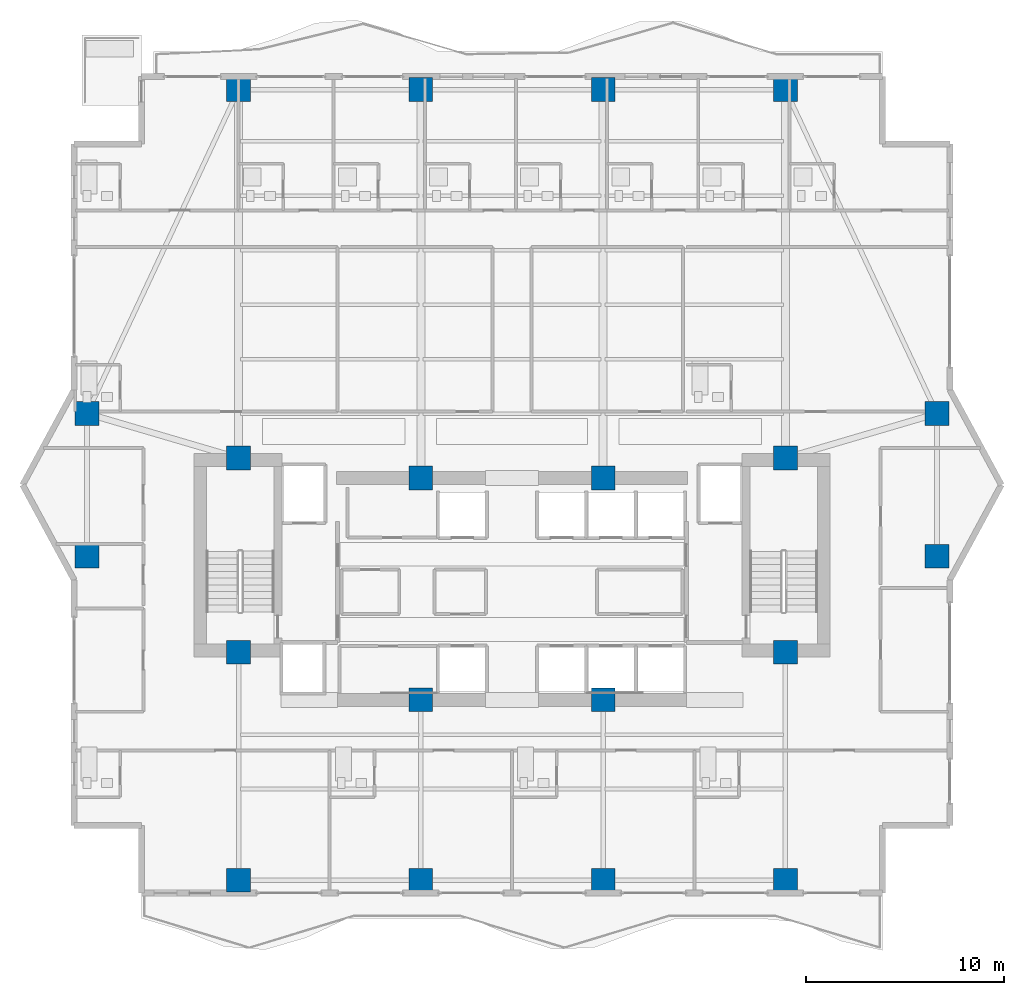
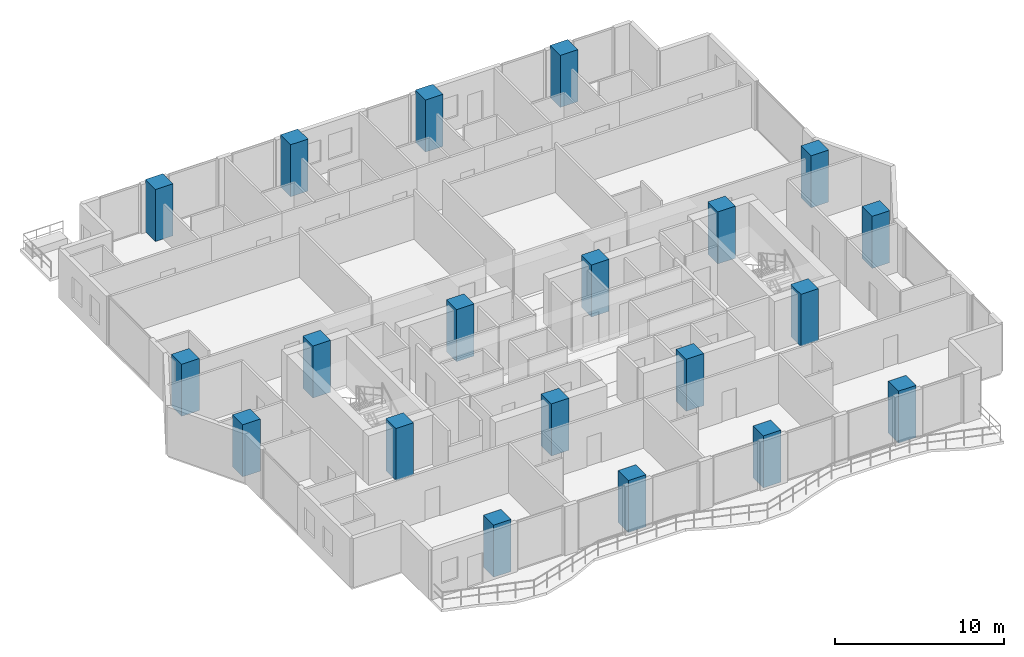
# One storey, part 1 of 32: 20 columns.
"""IFC4 building model written with IfcOpenShell, lengths in metres."""

from ifc_helpers import new_model, si_unit, direction, frame, origin, origin_2d, place, context, subcontext, project, spatial, rectangle, extrude, material, material_profile, profile_set, type_object, element, save


model = new_model("IFC4")

# Units and contexts
model_context = context("Model", 3, precision=1e-05, world=origin(), true_north=direction((0.0, 1.0)))
body_context = subcontext(model_context, "Body", "Model", "MODEL_VIEW")
ifc_project = project(units=[si_unit("LENGTHUNIT", "METRE"), si_unit("AREAUNIT", "SQUARE_METRE"), si_unit("VOLUMEUNIT", "CUBIC_METRE"), si_unit("PLANEANGLEUNIT", "RADIAN"), si_unit("MASSUNIT", "GRAM", prefix="KILO")], contexts=[model_context])

# Site, building, storey
site_placement = place(None, origin())
site = spatial("IfcSite", under=ifc_project, at=site_placement, CompositionType="ELEMENT")
building_placement = place(site_placement, origin())
building = spatial("IfcBuilding", under=site, at=building_placement, Name="Zuhayl Quay Hotel", CompositionType="ELEMENT")
storey_placement = place(building_placement, frame((0.0, 0.0, 226.14990234375)))
storey = spatial("IfcBuildingStorey", under=building, at=storey_placement, Name="L57", CompositionType="ELEMENT", Elevation=226.14990234375)

# Columns
ifc_material = material(Name="Concrete C60/75", Category="concrete")
ifc_material_profile_1 = material_profile(ifc_material, rectangle(XDim=1.199951171875, YDim=1.199951171875, at=origin_2d()), Name="RC1200X1200")
ifc_profile_set_1 = profile_set([ifc_material_profile_1], Name="Concrete C60/75")
column_type_1 = type_object("IfcColumnType", Name="CL_CC2_1200", PredefinedType="COLUMN", material=ifc_profile_set_1)
for number, where, z_axis, x_axis, name in (
    (1, (-13.800048828125, 14.35009765625, 0.0), (0.0, 0.0, 1.0), (1.0, 0.0, 0.0), "L57 Core Column CC_NW"),
    (2, (-4.60009765625, 13.35009765625, 0.0), (0.0, 0.0, 1.0), (1.0, 0.0, 0.0), "L57 Core Column CC_CNW"),
    (3, (4.60009765625, 13.35009765625, 0.0), (0.0, 0.0, 1.0), (1.0, 0.0, 0.0), "L57 Core Column CC_CNE"),
    (4, (13.800048828125, 14.35009765625, 0.0), (0.0, 0.0, 1.0), (1.0, 0.0, 0.0), "L57 Core Column CC_NE"),
    (5, (-13.800048828125, 4.550048828125, 0.0), (0.0, 0.0, 1.0), (1.0, 0.0, 0.0), "L57 Core Column CC_SW"),
    (6, (-4.60009765625, 2.14990234375, 0.0), (0.0, 0.0, 1.0), (1.0, 0.0, 0.0), "L57 Core Column CC_CSW"),
    (7, (4.60009765625, 2.14990234375, 0.0), (0.0, 0.0, 1.0), (1.0, 0.0, 0.0), "L57 Core Column CC_CSE"),
    (8, (13.800048828125, 4.550048828125, 0.0), (0.0, 0.0, 1.0), (1.0, 0.0, 0.0), "L57 Core Column CC_SE"),
):
    element("IfcColumn", number, at=place(storey_placement, frame(where, z_axis=z_axis, x_axis=x_axis)), inside=storey, type_object=column_type_1, Name=name, PredefinedType="COLUMN", context=body_context, shape_type="SweptSolid", body=[
        extrude(rectangle(XDim=1.199951171875, YDim=1.199951171875, at=origin_2d()), origin(), (0.0, 0.0, 1.0), 3.75),
    ])
ifc_material_profile_2 = material_profile(ifc_material, rectangle(XDim=1.199951171875, YDim=1.199951171875, at=origin_2d()), Name="RC1200X1200")
ifc_profile_set_2 = profile_set([ifc_material_profile_2], Name="Concrete C60/75")
column_type_2 = type_object("IfcColumnType", Name="CL_MC3_1200", PredefinedType="COLUMN", material=ifc_profile_set_2)
for number, where, z_axis, x_axis, name in (
    (9, (-13.800048828125, -6.949951171875, 0.0), (0.0, 0.0, 1.0), (1.0, 0.0, 0.0), "L57 Mega-Column MC_S1"),
    (10, (-4.60009765625, -6.949951171875, 0.0), (0.0, 0.0, 1.0), (1.0, 0.0, 0.0), "L57 Mega-Column MC_S2"),
    (11, (4.60009765625, -6.949951171875, 0.0), (0.0, 0.0, 1.0), (1.0, 0.0, 0.0), "L57 Mega-Column MC_S3"),
    (12, (13.800048828125, -6.949951171875, 0.0), (0.0, 0.0, 1.0), (1.0, 0.0, 0.0), "L57 Mega-Column MC_S4"),
    (13, (-13.800048828125, 32.949951171875, 0.0), (0.0, 0.0, 1.0), (1.0, 0.0, 0.0), "L57 Mega-Column MC_N1"),
    (14, (-4.60009765625, 32.949951171875, 0.0), (0.0, 0.0, 1.0), (1.0, 0.0, 0.0), "L57 Mega-Column MC_N2"),
    (15, (4.60009765625, 32.949951171875, 0.0), (0.0, 0.0, 1.0), (1.0, 0.0, 0.0), "L57 Mega-Column MC_N3"),
    (16, (13.800048828125, 32.949951171875, 0.0), (0.0, 0.0, 1.0), (1.0, 0.0, 0.0), "L57 Mega-Column MC_N4"),
    (17, (-21.449951171875, 9.39990234375, 0.0), (0.0, 0.0, 1.0), (1.0, 0.0, 0.0), "L57 Mega-Column MC_W1"),
    (18, (-21.449951171875, 16.60009765625, 0.0), (0.0, 0.0, 1.0), (1.0, 0.0, 0.0), "L57 Mega-Column MC_W2"),
    (19, (21.449951171875, 9.39990234375, 0.0), (0.0, 0.0, 1.0), (1.0, 0.0, 0.0), "L57 Mega-Column MC_E1"),
    (20, (21.449951171875, 16.60009765625, 0.0), (0.0, 0.0, 1.0), (1.0, 0.0, 0.0), "L57 Mega-Column MC_E2"),
):
    element("IfcColumn", number, at=place(storey_placement, frame(where, z_axis=z_axis, x_axis=x_axis)), inside=storey, type_object=column_type_2, Name=name, PredefinedType="COLUMN", context=body_context, shape_type="SweptSolid", body=[
        extrude(rectangle(XDim=1.199951171875, YDim=1.199951171875, at=origin_2d()), origin(), (0.0, 0.0, 1.0), 3.75),
    ])

save(model, "model.ifc")
